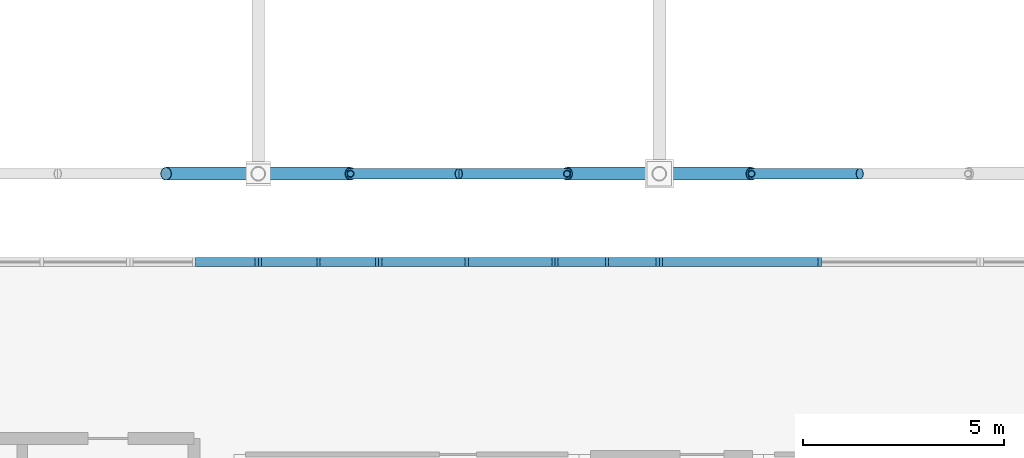
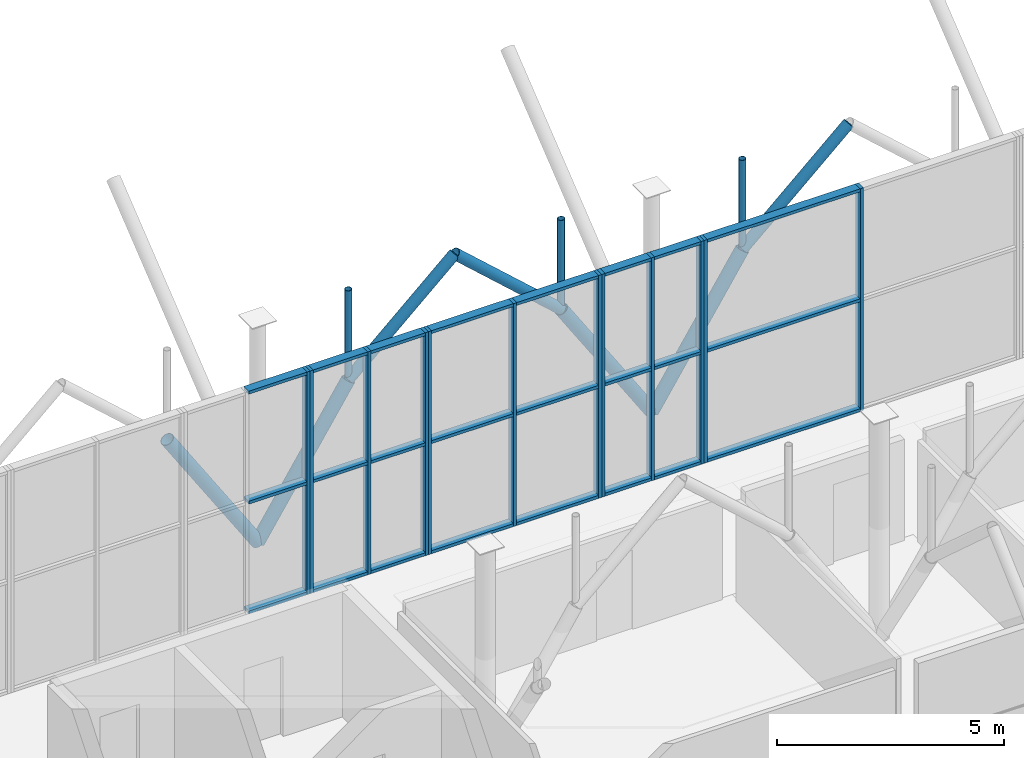
# One storey, part 59 of 109: 46 members, 5 elements without a shape of their own.
"""IFC4 building model written with IfcOpenShell, lengths in metres."""

from ifc_helpers import new_model, si_unit, derived_unit, direction, frame, origin, origin_2d_with_axis, place, context, subcontext, project, spatial, rectangle, hollow_circle, extrude, material, material_profile, profile_set, type_object, element, aggregate, save


model = new_model("IFC4")

# Units and contexts
model_context = context("Model", 3, precision=1e-05, world=origin(), true_north=direction((0.0, 1.0)))
body_context = subcontext(model_context, "Body", "Model", "MODEL_VIEW")
ifc_project = project(units=[si_unit("LENGTHUNIT", "METRE"), si_unit("AREAUNIT", "SQUARE_METRE"), si_unit("VOLUMEUNIT", "CUBIC_METRE"), si_unit("PLANEANGLEUNIT", "RADIAN"), si_unit("MASSUNIT", "GRAM", prefix="KILO"), derived_unit("THERMALTRANSMITTANCEUNIT", [(si_unit("POWERUNIT", "WATT"), 1), (si_unit("LENGTHUNIT", "METRE"), -2), (si_unit("THERMODYNAMICTEMPERATUREUNIT", "KELVIN"), -1)])], contexts=[model_context])

# Site, building, storey
site_placement = place(None, origin())
site = spatial("IfcSite", under=ifc_project, at=site_placement, CompositionType="ELEMENT")
building_placement = place(site_placement, origin())
building = spatial("IfcBuilding", under=site, at=building_placement, Name="Cinnabar Yard Market Hall", CompositionType="ELEMENT")
storey_placement = place(building_placement, frame((0.0, 0.0, 8.39990234375)))
storey = spatial("IfcBuildingStorey", under=building, at=storey_placement, Name="L02", CompositionType="ELEMENT", Elevation=8.39990234375)

# Curtain wall, member
ifc_material_1 = material(Name="Anodised bronze aluminium and low-E glass", Category="aluminium")
curtain_wall_type_1 = type_object("IfcCurtainWallType", Name="CW-CWH032x60", PredefinedType="NOTDEFINED", material=ifc_material_1)
curtain_wall_1_placement = place(storey_placement, origin())
curtain_wall_1 = element("IfcCurtainWall", 1, at=curtain_wall_1_placement, inside=storey, type_object=curtain_wall_type_1, Name="Market Hall North Upper Clerestory B1B", PredefinedType="NOTDEFINED")
ifc_material_2 = material(Name="Anodised bronze aluminium", Category="aluminium")
ifc_material_profile_1 = material_profile(ifc_material_2, rectangle(XDim=0.219970703125, YDim=0.080078125, at=origin_2d_with_axis()), Name="MUL-CWH")
ifc_profile_set_1 = profile_set([ifc_material_profile_1], Name="Anodised bronze aluminium")
member_type_1 = type_object("IfcMemberType", Name="CWM-CWH", PredefinedType="MULLION", material=ifc_profile_set_1)
member_1_placement = place(storey_placement, frame((95.9599609375, 71.800048828125, 0.0), z_axis=(0.0, 0.0, 1.0), x_axis=(0.0, -1.0, 0.0)))
member_1 = element("IfcMember", 2, at=member_1_placement, type_object=member_type_1, Name="CWH032x60 mullion 1", PredefinedType="MULLION", context=body_context, shape_type="SweptSolid", body=[
    extrude(rectangle(XDim=0.219970703125, YDim=0.080078125, at=origin_2d_with_axis()), origin(), (0.0, 0.0, 1.0), 5.97998046875),
])

# Curtain wall, members
curtain_wall_type_2 = type_object("IfcCurtainWallType", Name="CW-CWH030x60", PredefinedType="NOTDEFINED", material=ifc_material_1)
curtain_wall_2_placement = place(storey_placement, origin())
curtain_wall_2 = element("IfcCurtainWall", 3, at=curtain_wall_2_placement, inside=storey, type_object=curtain_wall_type_2, Name="Market Hall North Upper Clerestory B2A", PredefinedType="NOTDEFINED")
member_2_placement = place(storey_placement, frame((98.9599609375, 71.800048828125, 0.0), z_axis=(0.0, 0.0, 1.0), x_axis=(0.0, -1.0, 0.0)))
member_2 = element("IfcMember", 4, at=member_2_placement, type_object=member_type_1, Name="CWH030x60 mullion 1", PredefinedType="MULLION", context=body_context, shape_type="SweptSolid", body=[
    extrude(rectangle(XDim=0.219970703125, YDim=0.080078125, at=origin_2d_with_axis()), origin(), (0.0, 0.0, 1.0), 5.97998046875),
])
member_3_placement = place(storey_placement, frame((97.5, 71.800048828125, 0.0), z_axis=(0.0, 0.0, 1.0), x_axis=(0.0, -1.0, 0.0)))
member_3 = element("IfcMember", 5, at=member_3_placement, type_object=member_type_1, Name="CWH030x60 mullion 2", PredefinedType="MULLION", context=body_context, shape_type="SweptSolid", body=[
    extrude(rectangle(XDim=0.219970703125, YDim=0.080078125, at=origin_2d_with_axis()), origin(), (0.0, 0.0, 1.0), 5.97998046875),
])
member_4_placement = place(storey_placement, frame((96.0400390625, 71.800048828125, 0.0), z_axis=(0.0, 0.0, 1.0), x_axis=(0.0, -1.0, 0.0)))
member_4 = element("IfcMember", 6, at=member_4_placement, type_object=member_type_1, Name="CWH030x60 mullion 3", PredefinedType="MULLION", context=body_context, shape_type="SweptSolid", body=[
    extrude(rectangle(XDim=0.219970703125, YDim=0.080078125, at=origin_2d_with_axis()), origin(), (0.0, 0.0, 1.0), 5.97998046875),
])

curtain_wall_type_3 = type_object("IfcCurtainWallType", Name="CW-CWH044x60", PredefinedType="NOTDEFINED", material=ifc_material_1)
curtain_wall_3_placement = place(storey_placement, origin())
curtain_wall_3 = element("IfcCurtainWall", 7, at=curtain_wall_3_placement, inside=storey, type_object=curtain_wall_type_3, Name="Market Hall North Upper Clerestory PTB2", PredefinedType="NOTDEFINED")
member_5_placement = place(storey_placement, frame((103.360107421875, 71.800048828125, 0.0), z_axis=(0.0, 0.0, 1.0), x_axis=(0.0, -1.0, 0.0)))
member_5 = element("IfcMember", 8, at=member_5_placement, type_object=member_type_1, Name="CWH044x60 mullion 1", PredefinedType="MULLION", context=body_context, shape_type="SweptSolid", body=[
    extrude(rectangle(XDim=0.219970703125, YDim=0.080078125, at=origin_2d_with_axis()), origin(), (0.0, 0.0, 1.0), 5.97998046875),
])
member_6_placement = place(storey_placement, frame((101.199951171875, 71.800048828125, 0.0), z_axis=(0.0, 0.0, 1.0), x_axis=(0.0, -1.0, 0.0)))
member_6 = element("IfcMember", 9, at=member_6_placement, type_object=member_type_1, Name="CWH044x60 mullion 2", PredefinedType="MULLION", context=body_context, shape_type="SweptSolid", body=[
    extrude(rectangle(XDim=0.219970703125, YDim=0.080078125, at=origin_2d_with_axis()), origin(), (0.0, 0.0, 1.0), 5.97998046875),
])
member_7_placement = place(storey_placement, frame((99.0400390625, 71.800048828125, 0.0), z_axis=(0.0, 0.0, 1.0), x_axis=(0.0, -1.0, 0.0)))
member_7 = element("IfcMember", 10, at=member_7_placement, type_object=member_type_1, Name="CWH044x60 mullion 3", PredefinedType="MULLION", context=body_context, shape_type="SweptSolid", body=[
    extrude(rectangle(XDim=0.219970703125, YDim=0.080078125, at=origin_2d_with_axis()), origin(), (0.0, 0.0, 1.0), 5.97998046875),
])

curtain_wall_type_4 = type_object("IfcCurtainWallType", Name="CW-CWH026x60", PredefinedType="NOTDEFINED", material=ifc_material_1)
curtain_wall_4_placement = place(storey_placement, origin())
curtain_wall_4 = element("IfcCurtainWall", 11, at=curtain_wall_4_placement, inside=storey, type_object=curtain_wall_type_4, Name="Market Hall North Upper Clerestory B2B", PredefinedType="NOTDEFINED")
member_8_placement = place(storey_placement, frame((105.9599609375, 71.800048828125, 0.0), z_axis=(0.0, 0.0, 1.0), x_axis=(0.0, -1.0, 0.0)))
member_8 = element("IfcMember", 12, at=member_8_placement, type_object=member_type_1, Name="CWH026x60 mullion 1", PredefinedType="MULLION", context=body_context, shape_type="SweptSolid", body=[
    extrude(rectangle(XDim=0.219970703125, YDim=0.080078125, at=origin_2d_with_axis()), origin(), (0.0, 0.0, 1.0), 5.97998046875),
])
member_9_placement = place(storey_placement, frame((104.699951171875, 71.800048828125, 0.0), z_axis=(0.0, 0.0, 1.0), x_axis=(0.0, -1.0, 0.0)))
member_9 = element("IfcMember", 13, at=member_9_placement, type_object=member_type_1, Name="CWH026x60 mullion 2", PredefinedType="MULLION", context=body_context, shape_type="SweptSolid", body=[
    extrude(rectangle(XDim=0.219970703125, YDim=0.080078125, at=origin_2d_with_axis()), origin(), (0.0, 0.0, 1.0), 5.97998046875),
])
member_10_placement = place(storey_placement, frame((103.43994140625, 71.800048828125, 0.0), z_axis=(0.0, 0.0, 1.0), x_axis=(0.0, -1.0, 0.0)))
member_10 = element("IfcMember", 14, at=member_10_placement, type_object=member_type_1, Name="CWH026x60 mullion 3", PredefinedType="MULLION", context=body_context, shape_type="SweptSolid", body=[
    extrude(rectangle(XDim=0.219970703125, YDim=0.080078125, at=origin_2d_with_axis()), origin(), (0.0, 0.0, 1.0), 5.97998046875),
])

curtain_wall_type_5 = type_object("IfcCurtainWallType", Name="CW-CWH080x60", PredefinedType="NOTDEFINED", material=ifc_material_1)
curtain_wall_5_placement = place(storey_placement, origin())
curtain_wall_5 = element("IfcCurtainWall", 15, at=curtain_wall_5_placement, inside=storey, type_object=curtain_wall_type_5, Name="Market Hall North Upper Clerestory B3", PredefinedType="NOTDEFINED")
member_11_placement = place(storey_placement, frame((110.0, 71.800048828125, 0.0), z_axis=(0.0, 0.0, 1.0), x_axis=(0.0, -1.0, 0.0)))
member_11 = element("IfcMember", 16, at=member_11_placement, type_object=member_type_1, Name="CWH080x60 mullion 2", PredefinedType="MULLION", context=body_context, shape_type="SweptSolid", body=[
    extrude(rectangle(XDim=0.219970703125, YDim=0.080078125, at=origin_2d_with_axis()), origin(), (0.0, 0.0, 1.0), 5.97998046875),
])
member_12_placement = place(storey_placement, frame((106.0400390625, 71.800048828125, 0.0), z_axis=(0.0, 0.0, 1.0), x_axis=(0.0, -1.0, 0.0)))
member_12 = element("IfcMember", 17, at=member_12_placement, type_object=member_type_1, Name="CWH080x60 mullion 3", PredefinedType="MULLION", context=body_context, shape_type="SweptSolid", body=[
    extrude(rectangle(XDim=0.219970703125, YDim=0.080078125, at=origin_2d_with_axis()), origin(), (0.0, 0.0, 1.0), 5.97998046875),
])

# Member
ifc_material_profile_2 = material_profile(ifc_material_2, rectangle(XDim=0.219970703125, YDim=0.080078125, at=origin_2d_with_axis()), Name="TRN-CWH")
ifc_profile_set_2 = profile_set([ifc_material_profile_2], Name="Anodised bronze aluminium")
member_type_2 = type_object("IfcMemberType", Name="CWT-CWH", PredefinedType="USERDEFINED", material=ifc_profile_set_2)
member_13_placement = place(storey_placement, frame((95.919921875, 71.800048828125, 0.0400390625), z_axis=(-1.0, 0.0, 0.0), x_axis=(0.0, -1.0, 0.0)))
member_13 = element("IfcMember", 18, at=member_13_placement, type_object=member_type_2, Name="CWH032x60 transom 1.1", ObjectType="TRANSOM", PredefinedType="USERDEFINED", context=body_context, shape_type="SweptSolid", body=[
    extrude(rectangle(XDim=0.219970703125, YDim=0.080078125, at=origin_2d_with_axis()), origin(), (0.0, 0.0, 1.0), 1.47998046875),
])

member_14_placement = place(storey_placement, frame((95.919921875, 71.800048828125, 2.989990234375), z_axis=(-1.0, 0.0, 0.0), x_axis=(0.0, -1.0, 0.0)))
member_14 = element("IfcMember", 19, at=member_14_placement, type_object=member_type_2, Name="CWH032x60 transom 1.2", ObjectType="TRANSOM", PredefinedType="USERDEFINED", context=body_context, shape_type="SweptSolid", body=[
    extrude(rectangle(XDim=0.219970703125, YDim=0.080078125, at=origin_2d_with_axis()), origin(), (0.0, 0.0, 1.0), 1.47998046875),
])

member_15_placement = place(storey_placement, frame((95.919921875, 71.800048828125, 5.940185546875), z_axis=(-1.0, 0.0, 0.0), x_axis=(0.0, -1.0, 0.0)))
member_15 = element("IfcMember", 20, at=member_15_placement, type_object=member_type_2, Name="CWH032x60 transom 1.3", ObjectType="TRANSOM", PredefinedType="USERDEFINED", context=body_context, shape_type="SweptSolid", body=[
    extrude(rectangle(XDim=0.219970703125, YDim=0.080078125, at=origin_2d_with_axis()), origin(), (0.0, 0.0, 1.0), 1.47998046875),
])

aggregate(curtain_wall_1, [member_1, member_13, member_14, member_15])

member_16_placement = place(storey_placement, frame((98.919921875, 71.800048828125, 0.0400390625), z_axis=(-1.0, 0.0, 0.0), x_axis=(0.0, -1.0, 0.0)))
member_16 = element("IfcMember", 21, at=member_16_placement, type_object=member_type_2, Name="CWH030x60 transom 1.1", ObjectType="TRANSOM", PredefinedType="USERDEFINED", context=body_context, shape_type="SweptSolid", body=[
    extrude(rectangle(XDim=0.219970703125, YDim=0.080078125, at=origin_2d_with_axis()), origin(), (0.0, 0.0, 1.0), 1.3798828125),
])

member_17_placement = place(storey_placement, frame((98.919921875, 71.800048828125, 2.989990234375), z_axis=(-1.0, 0.0, 0.0), x_axis=(0.0, -1.0, 0.0)))
member_17 = element("IfcMember", 22, at=member_17_placement, type_object=member_type_2, Name="CWH030x60 transom 1.2", ObjectType="TRANSOM", PredefinedType="USERDEFINED", context=body_context, shape_type="SweptSolid", body=[
    extrude(rectangle(XDim=0.219970703125, YDim=0.080078125, at=origin_2d_with_axis()), origin(), (0.0, 0.0, 1.0), 1.3798828125),
])

member_18_placement = place(storey_placement, frame((98.919921875, 71.800048828125, 5.940185546875), z_axis=(-1.0, 0.0, 0.0), x_axis=(0.0, -1.0, 0.0)))
member_18 = element("IfcMember", 23, at=member_18_placement, type_object=member_type_2, Name="CWH030x60 transom 1.3", ObjectType="TRANSOM", PredefinedType="USERDEFINED", context=body_context, shape_type="SweptSolid", body=[
    extrude(rectangle(XDim=0.219970703125, YDim=0.080078125, at=origin_2d_with_axis()), origin(), (0.0, 0.0, 1.0), 1.3798828125),
])

member_19_placement = place(storey_placement, frame((97.4599609375, 71.800048828125, 0.0400390625), z_axis=(-1.0, 0.0, 0.0), x_axis=(0.0, -1.0, 0.0)))
member_19 = element("IfcMember", 24, at=member_19_placement, type_object=member_type_2, Name="CWH030x60 transom 2.1", ObjectType="TRANSOM", PredefinedType="USERDEFINED", context=body_context, shape_type="SweptSolid", body=[
    extrude(rectangle(XDim=0.219970703125, YDim=0.080078125, at=origin_2d_with_axis()), origin(), (0.0, 0.0, 1.0), 1.3798828125),
])

member_20_placement = place(storey_placement, frame((97.4599609375, 71.800048828125, 2.989990234375), z_axis=(-1.0, 0.0, 0.0), x_axis=(0.0, -1.0, 0.0)))
member_20 = element("IfcMember", 25, at=member_20_placement, type_object=member_type_2, Name="CWH030x60 transom 2.2", ObjectType="TRANSOM", PredefinedType="USERDEFINED", context=body_context, shape_type="SweptSolid", body=[
    extrude(rectangle(XDim=0.219970703125, YDim=0.080078125, at=origin_2d_with_axis()), origin(), (0.0, 0.0, 1.0), 1.3798828125),
])

member_21_placement = place(storey_placement, frame((97.4599609375, 71.800048828125, 5.940185546875), z_axis=(-1.0, 0.0, 0.0), x_axis=(0.0, -1.0, 0.0)))
member_21 = element("IfcMember", 26, at=member_21_placement, type_object=member_type_2, Name="CWH030x60 transom 2.3", ObjectType="TRANSOM", PredefinedType="USERDEFINED", context=body_context, shape_type="SweptSolid", body=[
    extrude(rectangle(XDim=0.219970703125, YDim=0.080078125, at=origin_2d_with_axis()), origin(), (0.0, 0.0, 1.0), 1.3798828125),
])

aggregate(curtain_wall_2, [member_2, member_3, member_4, member_16, member_17, member_18, member_19, member_20, member_21])

member_22_placement = place(storey_placement, frame((103.320068359375, 71.800048828125, 0.0400390625), z_axis=(-1.0, 0.0, 0.0), x_axis=(0.0, -1.0, 0.0)))
member_22 = element("IfcMember", 27, at=member_22_placement, type_object=member_type_2, Name="CWH044x60 transom 1.1", ObjectType="TRANSOM", PredefinedType="USERDEFINED", context=body_context, shape_type="SweptSolid", body=[
    extrude(rectangle(XDim=0.219970703125, YDim=0.080078125, at=origin_2d_with_axis()), origin(), (0.0, 0.0, 1.0), 2.080078125),
])

member_23_placement = place(storey_placement, frame((103.320068359375, 71.800048828125, 2.989990234375), z_axis=(-1.0, 0.0, 0.0), x_axis=(0.0, -1.0, 0.0)))
member_23 = element("IfcMember", 28, at=member_23_placement, type_object=member_type_2, Name="CWH044x60 transom 1.2", ObjectType="TRANSOM", PredefinedType="USERDEFINED", context=body_context, shape_type="SweptSolid", body=[
    extrude(rectangle(XDim=0.219970703125, YDim=0.080078125, at=origin_2d_with_axis()), origin(), (0.0, 0.0, 1.0), 2.080078125),
])

member_24_placement = place(storey_placement, frame((103.320068359375, 71.800048828125, 5.940185546875), z_axis=(-1.0, 0.0, 0.0), x_axis=(0.0, -1.0, 0.0)))
member_24 = element("IfcMember", 29, at=member_24_placement, type_object=member_type_2, Name="CWH044x60 transom 1.3", ObjectType="TRANSOM", PredefinedType="USERDEFINED", context=body_context, shape_type="SweptSolid", body=[
    extrude(rectangle(XDim=0.219970703125, YDim=0.080078125, at=origin_2d_with_axis()), origin(), (0.0, 0.0, 1.0), 2.080078125),
])

member_25_placement = place(storey_placement, frame((101.159912109375, 71.800048828125, 0.0400390625), z_axis=(-1.0, 0.0, 0.0), x_axis=(0.0, -1.0, 0.0)))
member_25 = element("IfcMember", 30, at=member_25_placement, type_object=member_type_2, Name="CWH044x60 transom 2.1", ObjectType="TRANSOM", PredefinedType="USERDEFINED", context=body_context, shape_type="SweptSolid", body=[
    extrude(rectangle(XDim=0.219970703125, YDim=0.080078125, at=origin_2d_with_axis()), origin(), (0.0, 0.0, 1.0), 2.079833984375),
])

member_26_placement = place(storey_placement, frame((101.159912109375, 71.800048828125, 2.989990234375), z_axis=(-1.0, 0.0, 0.0), x_axis=(0.0, -1.0, 0.0)))
member_26 = element("IfcMember", 31, at=member_26_placement, type_object=member_type_2, Name="CWH044x60 transom 2.2", ObjectType="TRANSOM", PredefinedType="USERDEFINED", context=body_context, shape_type="SweptSolid", body=[
    extrude(rectangle(XDim=0.219970703125, YDim=0.080078125, at=origin_2d_with_axis()), origin(), (0.0, 0.0, 1.0), 2.079833984375),
])

member_27_placement = place(storey_placement, frame((101.159912109375, 71.800048828125, 5.940185546875), z_axis=(-1.0, 0.0, 0.0), x_axis=(0.0, -1.0, 0.0)))
member_27 = element("IfcMember", 32, at=member_27_placement, type_object=member_type_2, Name="CWH044x60 transom 2.3", ObjectType="TRANSOM", PredefinedType="USERDEFINED", context=body_context, shape_type="SweptSolid", body=[
    extrude(rectangle(XDim=0.219970703125, YDim=0.080078125, at=origin_2d_with_axis()), origin(), (0.0, 0.0, 1.0), 2.079833984375),
])

aggregate(curtain_wall_3, [member_5, member_6, member_7, member_22, member_23, member_24, member_25, member_26, member_27])

member_28_placement = place(storey_placement, frame((105.919921875, 71.800048828125, 0.0400390625), z_axis=(-1.0, 0.0, 0.0), x_axis=(0.0, -1.0, 0.0)))
member_28 = element("IfcMember", 33, at=member_28_placement, type_object=member_type_2, Name="CWH026x60 transom 1.1", ObjectType="TRANSOM", PredefinedType="USERDEFINED", context=body_context, shape_type="SweptSolid", body=[
    extrude(rectangle(XDim=0.219970703125, YDim=0.080078125, at=origin_2d_with_axis()), origin(), (0.0, 0.0, 1.0), 1.179931640625),
])

member_29_placement = place(storey_placement, frame((105.919921875, 71.800048828125, 2.989990234375), z_axis=(-1.0, 0.0, 0.0), x_axis=(0.0, -1.0, 0.0)))
member_29 = element("IfcMember", 34, at=member_29_placement, type_object=member_type_2, Name="CWH026x60 transom 1.2", ObjectType="TRANSOM", PredefinedType="USERDEFINED", context=body_context, shape_type="SweptSolid", body=[
    extrude(rectangle(XDim=0.219970703125, YDim=0.080078125, at=origin_2d_with_axis()), origin(), (0.0, 0.0, 1.0), 1.179931640625),
])

member_30_placement = place(storey_placement, frame((105.919921875, 71.800048828125, 5.940185546875), z_axis=(-1.0, 0.0, 0.0), x_axis=(0.0, -1.0, 0.0)))
member_30 = element("IfcMember", 35, at=member_30_placement, type_object=member_type_2, Name="CWH026x60 transom 1.3", ObjectType="TRANSOM", PredefinedType="USERDEFINED", context=body_context, shape_type="SweptSolid", body=[
    extrude(rectangle(XDim=0.219970703125, YDim=0.080078125, at=origin_2d_with_axis()), origin(), (0.0, 0.0, 1.0), 1.179931640625),
])

member_31_placement = place(storey_placement, frame((104.659912109375, 71.800048828125, 0.0400390625), z_axis=(-1.0, 0.0, 0.0), x_axis=(0.0, -1.0, 0.0)))
member_31 = element("IfcMember", 36, at=member_31_placement, type_object=member_type_2, Name="CWH026x60 transom 2.1", ObjectType="TRANSOM", PredefinedType="USERDEFINED", context=body_context, shape_type="SweptSolid", body=[
    extrude(rectangle(XDim=0.219970703125, YDim=0.080078125, at=origin_2d_with_axis()), origin(), (0.0, 0.0, 1.0), 1.179931640625),
])

member_32_placement = place(storey_placement, frame((104.659912109375, 71.800048828125, 2.989990234375), z_axis=(-1.0, 0.0, 0.0), x_axis=(0.0, -1.0, 0.0)))
member_32 = element("IfcMember", 37, at=member_32_placement, type_object=member_type_2, Name="CWH026x60 transom 2.2", ObjectType="TRANSOM", PredefinedType="USERDEFINED", context=body_context, shape_type="SweptSolid", body=[
    extrude(rectangle(XDim=0.219970703125, YDim=0.080078125, at=origin_2d_with_axis()), origin(), (0.0, 0.0, 1.0), 1.179931640625),
])

member_33_placement = place(storey_placement, frame((104.659912109375, 71.800048828125, 5.940185546875), z_axis=(-1.0, 0.0, 0.0), x_axis=(0.0, -1.0, 0.0)))
member_33 = element("IfcMember", 38, at=member_33_placement, type_object=member_type_2, Name="CWH026x60 transom 2.3", ObjectType="TRANSOM", PredefinedType="USERDEFINED", context=body_context, shape_type="SweptSolid", body=[
    extrude(rectangle(XDim=0.219970703125, YDim=0.080078125, at=origin_2d_with_axis()), origin(), (0.0, 0.0, 1.0), 1.179931640625),
])

aggregate(curtain_wall_4, [member_8, member_9, member_10, member_28, member_29, member_30, member_31, member_32, member_33])

member_34_placement = place(storey_placement, frame((109.9599609375, 71.800048828125, 0.0400390625), z_axis=(-1.0, 0.0, 0.0), x_axis=(0.0, -1.0, 0.0)))
member_34 = element("IfcMember", 39, at=member_34_placement, type_object=member_type_2, Name="CWH080x60 transom 2.1", ObjectType="TRANSOM", PredefinedType="USERDEFINED", context=body_context, shape_type="SweptSolid", body=[
    extrude(rectangle(XDim=0.219970703125, YDim=0.080078125, at=origin_2d_with_axis()), origin(), (0.0, 0.0, 1.0), 3.8798828125),
])

member_35_placement = place(storey_placement, frame((109.9599609375, 71.800048828125, 2.989990234375), z_axis=(-1.0, 0.0, 0.0), x_axis=(0.0, -1.0, 0.0)))
member_35 = element("IfcMember", 40, at=member_35_placement, type_object=member_type_2, Name="CWH080x60 transom 2.2", ObjectType="TRANSOM", PredefinedType="USERDEFINED", context=body_context, shape_type="SweptSolid", body=[
    extrude(rectangle(XDim=0.219970703125, YDim=0.080078125, at=origin_2d_with_axis()), origin(), (0.0, 0.0, 1.0), 3.8798828125),
])

member_36_placement = place(storey_placement, frame((109.9599609375, 71.800048828125, 5.940185546875), z_axis=(-1.0, 0.0, 0.0), x_axis=(0.0, -1.0, 0.0)))
member_36 = element("IfcMember", 41, at=member_36_placement, type_object=member_type_2, Name="CWH080x60 transom 2.3", ObjectType="TRANSOM", PredefinedType="USERDEFINED", context=body_context, shape_type="SweptSolid", body=[
    extrude(rectangle(XDim=0.219970703125, YDim=0.080078125, at=origin_2d_with_axis()), origin(), (0.0, 0.0, 1.0), 3.8798828125),
])

aggregate(curtain_wall_5, [member_11, member_12, member_34, member_35, member_36])

# Members
ifc_material_3 = material(Name="Spotted-gum glulam-clad steel Grade 350 (350 MPa)", Category="steel")
ifc_material_profile_3 = material_profile(ifc_material_3, hollow_circle(Radius=0.136474609375, WallThickness=0.00927734375, at=origin_2d_with_axis()), Name="273.1x9.3CHS")
ifc_profile_set_3 = profile_set([ifc_material_profile_3], Name="Spotted-gum glulam-clad steel Grade 350 (350 MPa)")
member_type_3 = type_object("IfcMemberType", Name="MB-AR01E", PredefinedType="USERDEFINED", material=ifc_profile_set_3)
for number, where, z_axis, x_axis, name in (
    (42, (98.300048828125, 74.0, 3.550048828125), (0.743297488271, 0.0, 0.668961018244), (0.0, 1.0, 0.0), "Pointed Arch Rib 0149"),
    (43, (108.300048828125, 74.0, 3.550048828125), (0.743297488271, 0.0, 0.668961018244), (0.0, 1.0, 0.0), "Pointed Arch Rib 0153"),
    (44, (103.699951171875, 74.0, 3.550048828125), (-0.743297488271, 0.0, 0.668961018244), (0.0, -1.0, 0.0), "Pointed Arch Rib 0154"),
):
    element("IfcMember", number, at=place(storey_placement, frame(where, z_axis=z_axis, x_axis=x_axis)), inside=storey, type_object=member_type_3, Name=name, ObjectType="ARCH RIB", PredefinedType="USERDEFINED", context=body_context, shape_type="SweptSolid", body=[
        extrude(hollow_circle(Radius=0.136474609375, WallThickness=0.00927734375, at=origin_2d_with_axis()), origin(), (0.0, 0.0, 1.0), 3.63232421875),
    ])
ifc_material_profile_4 = material_profile(ifc_material_3, hollow_circle(Radius=0.161865234375, WallThickness=0.009521484375, at=origin_2d_with_axis()), Name="323.9x9.5CHS")
ifc_profile_set_4 = profile_set([ifc_material_profile_4], Name="Spotted-gum glulam-clad steel Grade 350 (350 MPa)")
member_type_4 = type_object("IfcMemberType", Name="MB-ST01E", PredefinedType="STRUT", material=ifc_profile_set_4)
for number, where, z_axis, x_axis, name in (
    (45, (96.0, 74.0, 0.0), (0.543744165176, 0.0, 0.839251024925), (0.0, 1.0, 0.0), "Curved Branch Arm Lower 0149"),
    (46, (96.0, 74.0, 0.0), (-0.543744165176, 0.0, 0.839251024925), (0.0, -1.0, 0.0), "Curved Branch Arm Lower 0150"),
    (47, (106.0, 74.0, 0.0), (0.543744165176, 0.0, 0.839251024925), (0.0, 1.0, 0.0), "Curved Branch Arm Lower 0153"),
    (48, (106.0, 74.0, 0.0), (-0.543744165176, 0.0, 0.839251024925), (0.0, -1.0, 0.0), "Curved Branch Arm Lower 0154"),
):
    element("IfcMember", number, at=place(storey_placement, frame(where, z_axis=z_axis, x_axis=x_axis)), inside=storey, type_object=member_type_4, Name=name, PredefinedType="STRUT", context=body_context, shape_type="SweptSolid", body=[
        extrude(hollow_circle(Radius=0.161865234375, WallThickness=0.009521484375, at=origin_2d_with_axis()), origin(), (0.0, 0.0, 1.0), 4.22998046875),
    ])
ifc_material_4 = material(Name="Cold-formed steel C350L0", Category="steel")
ifc_material_profile_5 = material_profile(ifc_material_4, hollow_circle(Radius=0.084228515625, WallThickness=0.00634765625, at=origin_2d_with_axis()), Name="168.3x6.4CHS")
ifc_profile_set_5 = profile_set([ifc_material_profile_5], Name="Cold-formed steel C350L0")
member_type_5 = type_object("IfcMemberType", Name="MB-WB01E", PredefinedType="STRUT", material=ifc_profile_set_5)
for number, where, z_axis, x_axis, name in (
    (49, (98.300048828125, 74.0, 3.550048828125), (0.0, 0.0, 1.0), (1.0, 0.0, 0.0), "Arch Spandrel Post 0149"),
    (50, (108.300048828125, 74.0, 3.550048828125), (0.0, 0.0, 1.0), (1.0, 0.0, 0.0), "Arch Spandrel Post 0153"),
    (51, (103.699951171875, 74.0, 3.550048828125), (0.0, 0.0, 1.0), (1.0, 0.0, 0.0), "Arch Spandrel Post 0154"),
):
    element("IfcMember", number, at=place(storey_placement, frame(where, z_axis=z_axis, x_axis=x_axis)), inside=storey, type_object=member_type_5, Name=name, PredefinedType="STRUT", context=body_context, shape_type="SweptSolid", body=[
        extrude(hollow_circle(Radius=0.084228515625, WallThickness=0.00634765625, at=origin_2d_with_axis()), origin(), (0.0, 0.0, 1.0), 2.429931640625),
    ])

save(model, "model.ifc")
